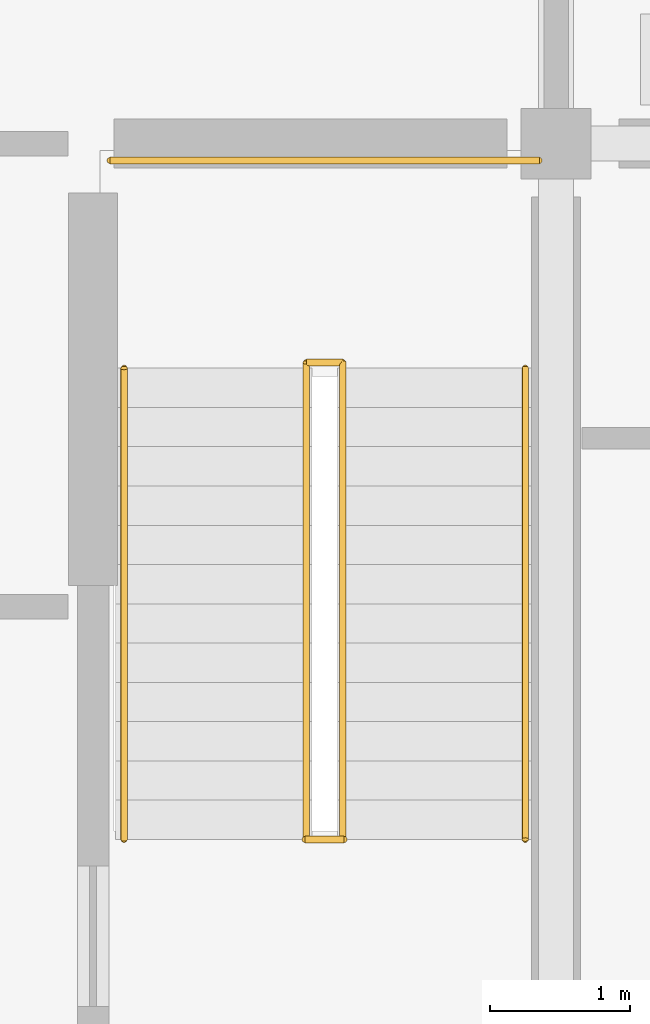
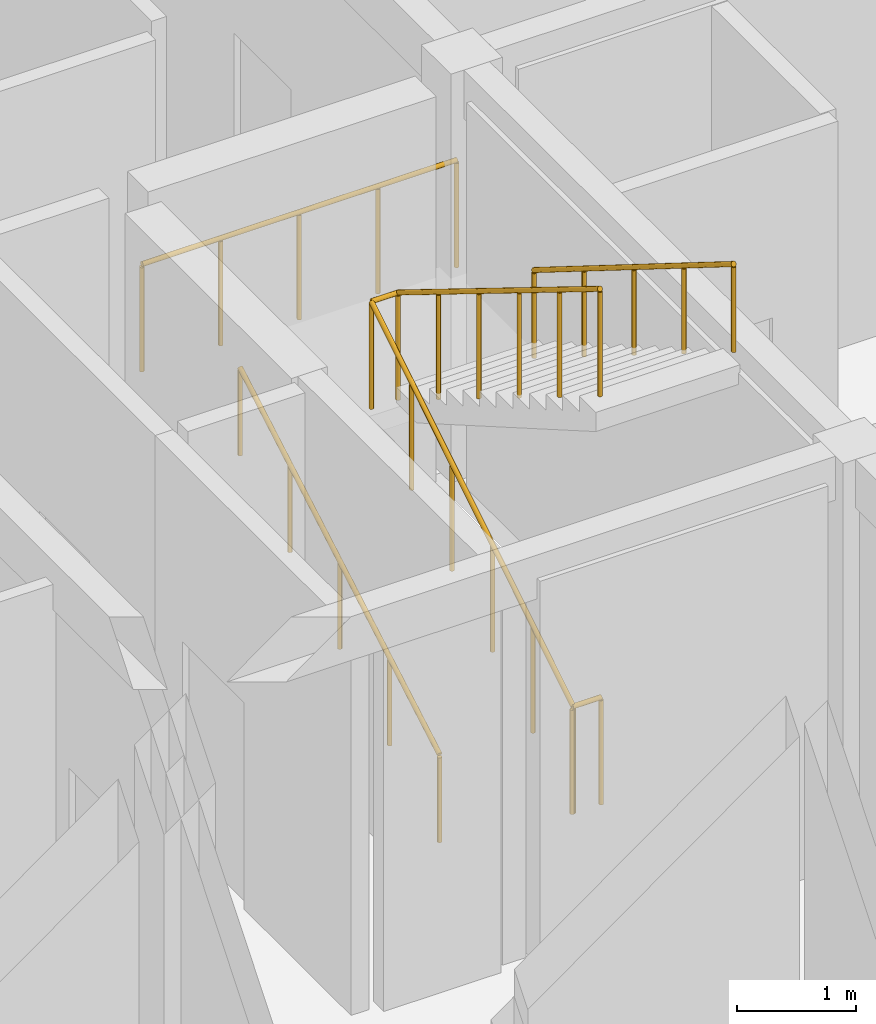
# One storey, part 90 of 92: 5 railings.
"""IFC4 building model written with IfcOpenShell, lengths in metres."""

from ifc_helpers import new_model, si_unit, direction, frame, origin, origin_2d, place, context, subcontext, project, spatial, circle, extrude, material, type_object, element, save


model = new_model("IFC4")

# Units and contexts
model_context = context("Model", 3, precision=1e-05, world=origin(), true_north=direction((0.0, 1.0)))
body_context = subcontext(model_context, "Body", "Model", "MODEL_VIEW")
ifc_project = project(units=[si_unit("LENGTHUNIT", "METRE"), si_unit("AREAUNIT", "SQUARE_METRE"), si_unit("VOLUMEUNIT", "CUBIC_METRE"), si_unit("PLANEANGLEUNIT", "RADIAN"), si_unit("MASSUNIT", "GRAM", prefix="KILO")], contexts=[model_context])

# Site, building, storey
site_placement = place(None, origin())
site = spatial("IfcSite", under=ifc_project, at=site_placement, CompositionType="ELEMENT")
building_placement = place(site_placement, origin())
building = spatial("IfcBuilding", under=site, at=building_placement, Name="Kernevlak Ridge Housing Community", CompositionType="ELEMENT")
storey_placement = place(building_placement, frame((0.0, 0.0, 4.199951171875)))
storey = spatial("IfcBuildingStorey", under=building, at=storey_placement, Name="L01", CompositionType="ELEMENT", Elevation=4.199951171875)

# Railings
ifc_material_1 = material(Name="Steel S355", Category="steel")
railing_type_1 = type_object("IfcRailingType", Name="GR-02", PredefinedType="GUARDRAIL", material=ifc_material_1)
railing_1_placement = place(storey_placement, frame((137.409912109375, 30.43994140625, 0.0)))
element("IfcRailing", 1, at=railing_1_placement, inside=storey, type_object=railing_type_1, Name="Stair ST-C2 L01 well slot guard", PredefinedType="GUARDRAIL", context=body_context, shape_type="SweptSolid", body=[
    extrude(circle(Radius=0.02392578125, at=origin_2d()), frame((0.0, 0.0, 1.09619140625), z_axis=(1.0, 0.0, 0.0), x_axis=(0.0, 1.0, 0.0)), (0.0, 0.0, 1.0), 0.280029296875),
    extrude(circle(Radius=0.02099609375, at=origin_2d()), origin(), (0.0, 0.0, 1.0), 1.072021484375),
    extrude(circle(Radius=0.02099609375, at=origin_2d()), frame((0.280029296875, 0.0, 0.0)), (0.0, 0.0, 1.0), 1.072021484375),
])
railing_2_placement = place(storey_placement, frame((137.419921875, 30.43994140625, 0.0)))
element("IfcRailing", 2, at=railing_2_placement, inside=storey, type_object=railing_type_1, Name="Stair ST-C2 L01 inner well guardrail", PredefinedType="GUARDRAIL", context=body_context, shape_type="SweptSolid", body=[
    extrude(circle(Radius=0.02392578125, at=origin_2d()), frame((0.0, 0.0, 1.09619140625), z_axis=(0.0, 0.850797194049, 0.525494181317), x_axis=(-1.0, 0.0, 0.0)), (0.0, 0.0, 1.0), 3.996337890625),
    extrude(circle(Radius=0.02392578125, at=origin_2d()), frame((0.0, 3.400146484375, 3.1962890625), z_axis=(1.0, 0.0, 0.0), x_axis=(0.0, 1.0, 0.0)), (0.0, 0.0, 1.0), 0.260009765625),
    extrude(circle(Radius=0.02392578125, at=origin_2d()), frame((0.260009765625, 3.400146484375, 3.1962890625), z_axis=(0.0, -0.850824506338, 0.525449959001), x_axis=(1.0, 0.0, 0.0)), (0.0, 0.0, 1.0), 3.996337890625),
    extrude(circle(Radius=0.02099609375, at=origin_2d()), origin(), (0.0, 0.0, 1.0), 1.072021484375),
    extrude(circle(Radius=0.02099609375, at=origin_2d()), frame((0.0, 0.679931640625, 0.419921875)), (0.0, 0.0, 1.0), 1.072021484375),
    extrude(circle(Radius=0.02099609375, at=origin_2d()), frame((0.0, 1.360107421875, 0.840087890625)), (0.0, 0.0, 1.0), 1.072021484375),
    extrude(circle(Radius=0.02099609375, at=origin_2d()), frame((0.0, 2.0400390625, 1.260009765625)), (0.0, 0.0, 1.0), 1.072021484375),
    extrude(circle(Radius=0.02099609375, at=origin_2d()), frame((0.0, 2.72021484375, 1.68017578125)), (0.0, 0.0, 1.0), 1.072021484375),
    extrude(circle(Radius=0.02099609375, at=origin_2d()), frame((0.0, 3.400146484375, 2.10009765625)), (0.0, 0.0, 1.0), 1.072021484375),
    extrude(circle(Radius=0.02099609375, at=origin_2d()), frame((0.260009765625, 3.400146484375, 2.10009765625)), (0.0, 0.0, 1.0), 1.072021484375),
    extrude(circle(Radius=0.02099609375, at=origin_2d()), frame((0.260009765625, 2.72021484375, 2.52001953125)), (0.0, 0.0, 1.0), 1.072021484375),
    extrude(circle(Radius=0.02099609375, at=origin_2d()), frame((0.260009765625, 2.0400390625, 2.93994140625)), (0.0, 0.0, 1.0), 1.072021484375),
    extrude(circle(Radius=0.02099609375, at=origin_2d()), frame((0.260009765625, 1.360107421875, 3.360107421875)), (0.0, 0.0, 1.0), 1.072021484375),
    extrude(circle(Radius=0.02099609375, at=origin_2d()), frame((0.260009765625, 0.679931640625, 3.780029296875)), (0.0, 0.0, 1.0), 1.072021484375),
    extrude(circle(Radius=0.02099609375, at=origin_2d()), frame((0.260009765625, 0.0, 4.199951171875)), (0.0, 0.0, 1.0), 1.072021484375),
])
railing_3_placement = place(storey_placement, frame((136.02001953125, 35.280029296875, 2.10009765625)))
element("IfcRailing", 3, at=railing_3_placement, inside=storey, type_object=railing_type_1, Name="Stair ST-C2 L01 half-landing guard", PredefinedType="GUARDRAIL", context=body_context, shape_type="SweptSolid", body=[
    extrude(circle(Radius=0.02392578125, at=origin_2d()), frame((0.0, 0.0, 1.09619140625), z_axis=(1.0, 0.0, 0.0), x_axis=(0.0, 1.0, 0.0)), (0.0, 0.0, 1.0), 3.06005859375),
    extrude(circle(Radius=0.02099609375, at=origin_2d()), origin(), (0.0, 0.0, 1.0), 1.072021484375),
    extrude(circle(Radius=0.02099609375, at=origin_2d()), frame((0.76513671875, 0.0, 0.0)), (0.0, 0.0, 1.0), 1.072021484375),
    extrude(circle(Radius=0.02099609375, at=origin_2d()), frame((1.530029296875, 0.0, 0.0)), (0.0, 0.0, 1.0), 1.072021484375),
    extrude(circle(Radius=0.02099609375, at=origin_2d()), frame((2.294921875, 0.0, 0.0)), (0.0, 0.0, 1.0), 1.072021484375),
    extrude(circle(Radius=0.02099609375, at=origin_2d()), frame((3.06005859375, 0.0, 0.0)), (0.0, 0.0, 1.0), 1.072021484375),
])
ifc_material_2 = material(Name="Stainless steel EN 1.4401", Category="steel")
railing_type_2 = type_object("IfcRailingType", Name="HR-01", PredefinedType="HANDRAIL", material=ifc_material_2)
railing_4_placement = place(storey_placement, frame((136.1201171875, 30.43994140625, 0.16162109375)))
element("IfcRailing", 4, at=railing_4_placement, inside=storey, type_object=railing_type_2, Name="Stair ST-C2 L01 flight 1 handrail", PredefinedType="HANDRAIL", context=body_context, shape_type="SweptSolid", body=[
    extrude(circle(Radius=0.02392578125, at=origin_2d()), frame((0.0, 0.0, 0.89599609375), z_axis=(0.0, 0.866190824863, 0.499713372768), x_axis=(-1.0, 0.0, 0.0)), (0.0, 0.0, 1.0), 3.879150390625),
    extrude(circle(Radius=0.02099609375, at=origin_2d()), origin(), (0.0, 0.0, 1.0), 0.871826171875),
    extrude(circle(Radius=0.02099609375, at=origin_2d()), frame((0.0, 0.840087890625, 0.484619140625)), (0.0, 0.0, 1.0), 0.871826171875),
    extrude(circle(Radius=0.02099609375, at=origin_2d()), frame((0.0, 1.68017578125, 0.96923828125)), (0.0, 0.0, 1.0), 0.871826171875),
    extrude(circle(Radius=0.02099609375, at=origin_2d()), frame((0.0, 2.52001953125, 1.453857421875)), (0.0, 0.0, 1.0), 0.871826171875),
    extrude(circle(Radius=0.02099609375, at=origin_2d()), frame((0.0, 3.360107421875, 1.9384765625)), (0.0, 0.0, 1.0), 0.871826171875),
])
railing_5_placement = place(storey_placement, frame((138.97998046875, 33.800048828125, 2.10009765625)))
element("IfcRailing", 5, at=railing_5_placement, inside=storey, type_object=railing_type_2, Name="Stair ST-C2 L01 flight 2 handrail", PredefinedType="HANDRAIL", context=body_context, shape_type="SweptSolid", body=[
    extrude(circle(Radius=0.02392578125, at=origin_2d()), frame((0.0, 0.0, 0.89599609375), z_axis=(0.0, -0.848022534174, 0.529960169762), x_axis=(1.0, 0.0, 0.0)), (0.0, 0.0, 1.0), 3.96240234375),
    extrude(circle(Radius=0.02099609375, at=origin_2d()), origin(), (0.0, 0.0, 1.0), 0.871826171875),
    extrude(circle(Radius=0.02099609375, at=origin_2d()), frame((0.0, -0.840087890625, 0.52490234375)), (0.0, 0.0, 1.0), 0.871826171875),
    extrude(circle(Radius=0.02099609375, at=origin_2d()), frame((0.0, -1.68017578125, 1.0498046875)), (0.0, 0.0, 1.0), 0.871826171875),
    extrude(circle(Radius=0.02099609375, at=origin_2d()), frame((0.0, -2.52001953125, 1.574951171875)), (0.0, 0.0, 1.0), 0.871826171875),
    extrude(circle(Radius=0.02099609375, at=origin_2d()), frame((0.0, -3.360107421875, 2.099853515625)), (0.0, 0.0, 1.0), 0.871826171875),
])

save(model, "model.ifc")
